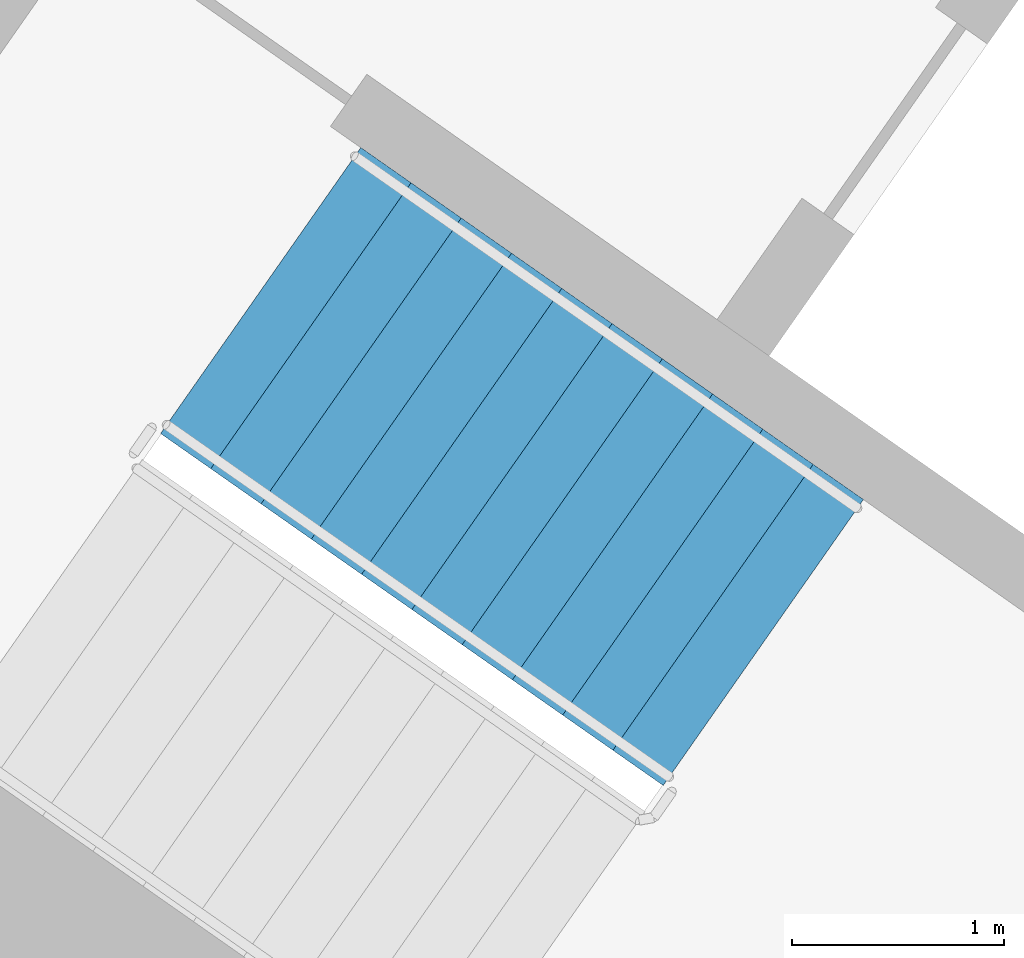
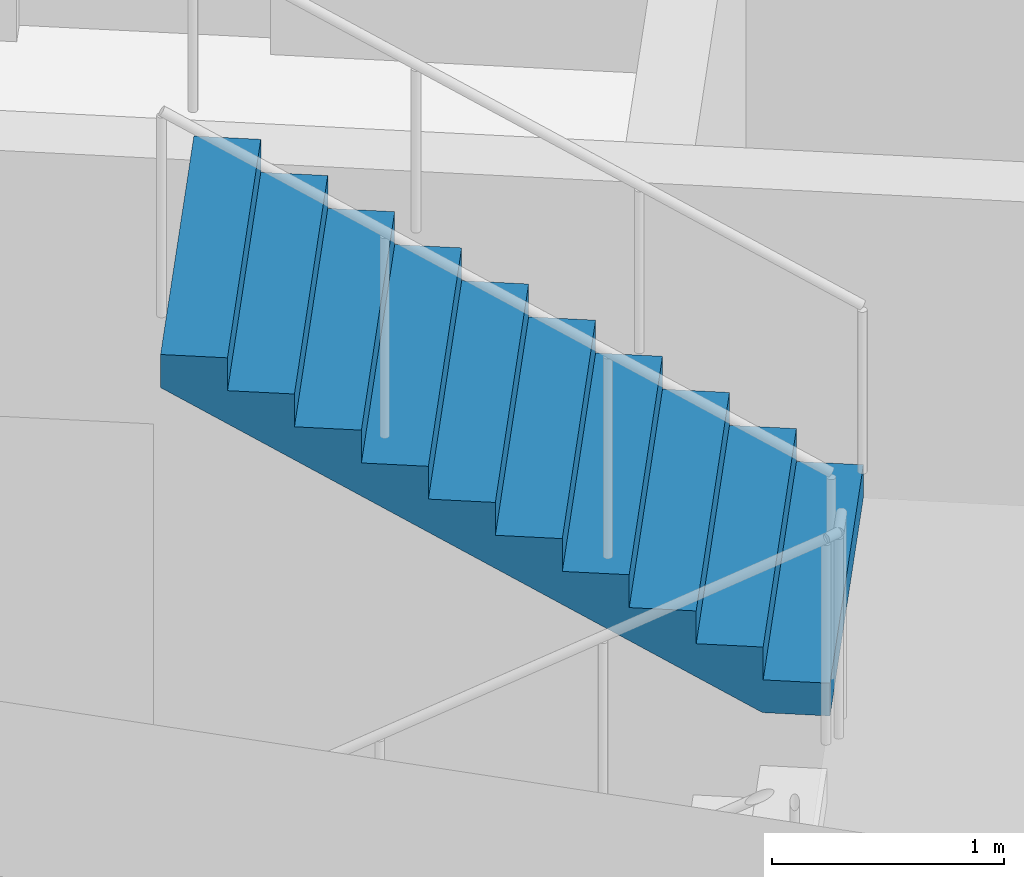
# One storey, part 11 of 29: 1 stair flight, 1 element without a shape of its own.
"""IFC4 building model written with IfcOpenShell, lengths in metres."""

from ifc_helpers import new_model, si_unit, direction, frame, origin, place, context, subcontext, project, spatial, faceted_brep, material, type_object, element, aggregate, save


model = new_model("IFC4")

# Units and contexts
model_context = context("Model", 3, precision=1e-05, world=origin(), true_north=direction((0.0, 1.0)))
body_context = subcontext(model_context, "Body", "Model", "MODEL_VIEW")
ifc_project = project(units=[si_unit("LENGTHUNIT", "METRE"), si_unit("AREAUNIT", "SQUARE_METRE"), si_unit("VOLUMEUNIT", "CUBIC_METRE"), si_unit("PLANEANGLEUNIT", "RADIAN"), si_unit("MASSUNIT", "GRAM", prefix="KILO")], contexts=[model_context])

# Site, building, storey
site_placement = place(None, origin())
site = spatial("IfcSite", under=ifc_project, at=site_placement, CompositionType="ELEMENT")
building_placement = place(site_placement, origin())
building = spatial("IfcBuilding", under=site, at=building_placement, Name="Qamariyya Broadcast Tower", CompositionType="ELEMENT")
storey_placement = place(building_placement, frame((0.0, 0.0, 113.89990234375)))
storey = spatial("IfcBuildingStorey", under=building, at=storey_placement, Name="L25", CompositionType="ELEMENT", Elevation=113.89990234375)

# Stair, stair flight
ifc_material = material(Name="Concrete C50/60", Category="concrete")
stair_type = type_object("IfcStairType", Name="Exit stair 22 risers of 173 mm", PredefinedType="HALF_TURN_STAIR", material=ifc_material)
stair_placement = place(storey_placement, origin())
stair = element("IfcStair", 1, at=stair_placement, inside=storey, type_object=stair_type, Name="L25 Stair W1", PredefinedType="HALF_TURN_STAIR")
stair_flight_type = type_object("IfcStairFlightType", Name="Exit stair flight 11 risers of 173 mm", PredefinedType="STRAIGHT", material=ifc_material)
stair_flight_placement = place(storey_placement, frame((-43.660888671875, -57.17138671875, 1.900146484375), z_axis=(0.0, 0.0, 1.0), x_axis=(-0.819152044289, 0.573576436351, 0.0)))
stair_flight = element("IfcStairFlight", 2, at=stair_flight_placement, type_object=stair_flight_type, Name="ST-W1 flight 2", NumberOfRisers=11, NumberOfTreads=10, PredefinedType="STRAIGHT", RiserHeight=0.172727273, TreadLength=0.29, context=body_context, shape_type="Brep", body=[
    faceted_brep([(0.0, 0.824951171875, 0.0), (0.0, 0.824951171875, 0.172607421875), (0.2900390625, 0.824951171875, 0.172607421875), (0.2900390625, 0.824951171875, 0.345458984375), (0.580078125, 0.824951171875, 0.345458984375), (0.580078125, 0.824951171875, 0.51806640625), (0.8701171875, 0.824951171875, 0.51806640625), (0.8701171875, 0.824951171875, 0.69091796875), (1.159912109375, 0.824951171875, 0.69091796875), (1.159912109375, 0.824951171875, 0.863525390625), (1.449951171875, 0.824951171875, 0.863525390625), (1.449951171875, 0.824951171875, 1.036376953125), (1.739990234375, 0.824951171875, 1.036376953125), (1.739990234375, 0.824951171875, 1.208984375), (2.030029296875, 0.824951171875, 1.208984375), (2.030029296875, 0.824951171875, 1.3818359375), (2.320068359375, 0.824951171875, 1.3818359375), (2.320068359375, 0.824951171875, 1.554443359375), (2.610107421875, 0.824951171875, 1.554443359375), (2.610107421875, 0.824951171875, 1.727294921875), (2.89990234375, 0.824951171875, 1.727294921875), (2.89990234375, 0.824951171875, 1.552734375), (0.29296875, 0.824951171875, 0.0), (0.29296875, -0.824951171875, 0.0), (2.89990234375, -0.824951171875, 1.552734375), (2.89990234375, -0.824951171875, 1.727294921875), (2.610107421875, -0.824951171875, 1.727294921875), (2.610107421875, -0.824951171875, 1.554443359375), (2.320068359375, -0.824951171875, 1.554443359375), (2.320068359375, -0.824951171875, 1.3818359375), (2.030029296875, -0.824951171875, 1.3818359375), (2.030029296875, -0.824951171875, 1.208984375), (1.739990234375, -0.824951171875, 1.208984375), (1.739990234375, -0.824951171875, 1.036376953125), (1.449951171875, -0.824951171875, 1.036376953125), (1.449951171875, -0.824951171875, 0.863525390625), (1.159912109375, -0.824951171875, 0.863525390625), (1.159912109375, -0.824951171875, 0.69091796875), (0.8701171875, -0.824951171875, 0.69091796875), (0.8701171875, -0.824951171875, 0.51806640625), (0.580078125, -0.824951171875, 0.51806640625), (0.580078125, -0.824951171875, 0.345458984375), (0.2900390625, -0.824951171875, 0.345458984375), (0.2900390625, -0.824951171875, 0.172607421875), (0.0, -0.824951171875, 0.172607421875), (0.0, -0.824951171875, 0.0), (0.0, 0.10009765625, 0.0), (0.0, 0.086669921875, 0.0), (0.0, 0.0732421875, 0.0), (0.0, 0.06005859375, 0.0), (0.0, 0.046630859375, 0.0), (0.0, 0.033447265625, 0.0), (0.0, 0.02001953125, 0.0), (0.0, 0.006591796875, 0.0), (0.0, -0.006591796875, 0.0), (0.0, -0.02001953125, 0.0), (0.0, -0.033447265625, 0.0), (0.0, -0.046630859375, 0.0), (0.0, -0.06005859375, 0.0), (0.0, -0.0732421875, 0.0), (0.0, -0.086669921875, 0.0), (0.0, -0.10009765625, 0.0), (0.0, -0.10009765625, 0.172607421875), (0.0, -0.086669921875, 0.172607421875), (0.0, -0.0732421875, 0.172607421875), (0.0, -0.06005859375, 0.172607421875), (0.0, -0.046630859375, 0.172607421875), (0.0, -0.033447265625, 0.172607421875), (0.0, -0.02001953125, 0.172607421875), (0.0, -0.006591796875, 0.172607421875), (0.0, 0.006591796875, 0.172607421875), (0.0, 0.02001953125, 0.172607421875), (0.0, 0.033447265625, 0.172607421875), (0.0, 0.046630859375, 0.172607421875), (0.0, 0.06005859375, 0.172607421875), (0.0, 0.0732421875, 0.172607421875), (0.0, 0.086669921875, 0.172607421875), (0.0, 0.10009765625, 0.172607421875), (0.2900390625, -0.10009765625, 0.172607421875), (0.2900390625, -0.086669921875, 0.172607421875), (0.2900390625, -0.0732421875, 0.172607421875), (0.2900390625, -0.06005859375, 0.172607421875), (0.2900390625, -0.046630859375, 0.172607421875), (0.2900390625, -0.033447265625, 0.172607421875), (0.2900390625, -0.02001953125, 0.172607421875), (0.2900390625, -0.006591796875, 0.172607421875), (0.2900390625, 0.006591796875, 0.172607421875), (0.2900390625, 0.02001953125, 0.172607421875), (0.2900390625, 0.033447265625, 0.172607421875), (0.2900390625, 0.046630859375, 0.172607421875), (0.2900390625, 0.06005859375, 0.172607421875), (0.2900390625, 0.0732421875, 0.172607421875), (0.2900390625, 0.086669921875, 0.172607421875), (0.2900390625, 0.10009765625, 0.172607421875), (0.2900390625, -0.10009765625, 0.345458984375), (0.2900390625, -0.086669921875, 0.345458984375), (0.2900390625, -0.0732421875, 0.345458984375), (0.2900390625, -0.06005859375, 0.345458984375), (0.2900390625, -0.046630859375, 0.345458984375), (0.2900390625, -0.033447265625, 0.345458984375), (0.2900390625, -0.02001953125, 0.345458984375), (0.2900390625, -0.006591796875, 0.345458984375), (0.2900390625, 0.006591796875, 0.345458984375), (0.2900390625, 0.02001953125, 0.345458984375), (0.2900390625, 0.033447265625, 0.345458984375), (0.2900390625, 0.046630859375, 0.345458984375), (0.2900390625, 0.06005859375, 0.345458984375), (0.2900390625, 0.0732421875, 0.345458984375), (0.2900390625, 0.086669921875, 0.345458984375), (0.2900390625, 0.10009765625, 0.345458984375), (0.580078125, -0.10009765625, 0.345458984375), (0.580078125, -0.086669921875, 0.345458984375), (0.580078125, -0.0732421875, 0.345458984375), (0.580078125, -0.06005859375, 0.345458984375), (0.580078125, -0.046630859375, 0.345458984375), (0.580078125, -0.033447265625, 0.345458984375), (0.580078125, -0.02001953125, 0.345458984375), (0.580078125, -0.006591796875, 0.345458984375), (0.580078125, 0.006591796875, 0.345458984375), (0.580078125, 0.02001953125, 0.345458984375), (0.580078125, 0.033447265625, 0.345458984375), (0.580078125, 0.046630859375, 0.345458984375), (0.580078125, 0.06005859375, 0.345458984375), (0.580078125, 0.0732421875, 0.345458984375), (0.580078125, 0.086669921875, 0.345458984375), (0.580078125, 0.10009765625, 0.345458984375), (0.580078125, -0.10009765625, 0.51806640625), (0.580078125, -0.086669921875, 0.51806640625), (0.580078125, -0.0732421875, 0.51806640625), (0.580078125, -0.06005859375, 0.51806640625), (0.580078125, -0.046630859375, 0.51806640625), (0.580078125, -0.033447265625, 0.51806640625), (0.580078125, -0.02001953125, 0.51806640625), (0.580078125, -0.006591796875, 0.51806640625), (0.580078125, 0.006591796875, 0.51806640625), (0.580078125, 0.02001953125, 0.51806640625), (0.580078125, 0.033447265625, 0.51806640625), (0.580078125, 0.046630859375, 0.51806640625), (0.580078125, 0.06005859375, 0.51806640625), (0.580078125, 0.0732421875, 0.51806640625), (0.580078125, 0.086669921875, 0.51806640625), (0.580078125, 0.10009765625, 0.51806640625), (0.8701171875, -0.10009765625, 0.51806640625), (0.8701171875, -0.086669921875, 0.51806640625), (0.8701171875, -0.0732421875, 0.51806640625), (0.8701171875, -0.06005859375, 0.51806640625), (0.8701171875, -0.046630859375, 0.51806640625), (0.8701171875, -0.033447265625, 0.51806640625), (0.8701171875, -0.02001953125, 0.51806640625), (0.8701171875, -0.006591796875, 0.51806640625), (0.8701171875, 0.006591796875, 0.51806640625), (0.8701171875, 0.02001953125, 0.51806640625), (0.8701171875, 0.033447265625, 0.51806640625), (0.8701171875, 0.046630859375, 0.51806640625), (0.8701171875, 0.06005859375, 0.51806640625), (0.8701171875, 0.0732421875, 0.51806640625), (0.8701171875, 0.086669921875, 0.51806640625), (0.8701171875, 0.10009765625, 0.51806640625), (0.8701171875, -0.10009765625, 0.69091796875), (0.8701171875, -0.086669921875, 0.69091796875), (0.8701171875, -0.0732421875, 0.69091796875), (0.8701171875, -0.06005859375, 0.69091796875), (0.8701171875, -0.046630859375, 0.69091796875), (0.8701171875, -0.033447265625, 0.69091796875), (0.8701171875, -0.02001953125, 0.69091796875), (0.8701171875, -0.006591796875, 0.69091796875), (0.8701171875, 0.006591796875, 0.69091796875), (0.8701171875, 0.02001953125, 0.69091796875), (0.8701171875, 0.033447265625, 0.69091796875), (0.8701171875, 0.046630859375, 0.69091796875), (0.8701171875, 0.06005859375, 0.69091796875), (0.8701171875, 0.0732421875, 0.69091796875), (0.8701171875, 0.086669921875, 0.69091796875), (0.8701171875, 0.10009765625, 0.69091796875), (1.159912109375, -0.10009765625, 0.69091796875), (1.159912109375, -0.086669921875, 0.69091796875), (1.159912109375, -0.0732421875, 0.69091796875), (1.159912109375, -0.06005859375, 0.69091796875), (1.159912109375, -0.046630859375, 0.69091796875), (1.159912109375, -0.033447265625, 0.69091796875), (1.159912109375, -0.02001953125, 0.69091796875), (1.159912109375, -0.006591796875, 0.69091796875), (1.159912109375, 0.006591796875, 0.69091796875), (1.159912109375, 0.02001953125, 0.69091796875), (1.159912109375, 0.033447265625, 0.69091796875), (1.159912109375, 0.046630859375, 0.69091796875), (1.159912109375, 0.06005859375, 0.69091796875), (1.159912109375, 0.0732421875, 0.69091796875), (1.159912109375, 0.086669921875, 0.69091796875), (1.159912109375, 0.10009765625, 0.69091796875), (1.159912109375, -0.10009765625, 0.863525390625), (1.159912109375, -0.086669921875, 0.863525390625), (1.159912109375, -0.0732421875, 0.863525390625), (1.159912109375, -0.06005859375, 0.863525390625), (1.159912109375, -0.046630859375, 0.863525390625), (1.159912109375, -0.033447265625, 0.863525390625), (1.159912109375, -0.02001953125, 0.863525390625), (1.159912109375, -0.006591796875, 0.863525390625), (1.159912109375, 0.006591796875, 0.863525390625), (1.159912109375, 0.02001953125, 0.863525390625), (1.159912109375, 0.033447265625, 0.863525390625), (1.159912109375, 0.046630859375, 0.863525390625), (1.159912109375, 0.06005859375, 0.863525390625), (1.159912109375, 0.0732421875, 0.863525390625), (1.159912109375, 0.086669921875, 0.863525390625), (1.159912109375, 0.10009765625, 0.863525390625), (1.449951171875, -0.10009765625, 0.863525390625), (1.449951171875, -0.086669921875, 0.863525390625), (1.449951171875, -0.0732421875, 0.863525390625), (1.449951171875, -0.06005859375, 0.863525390625), (1.449951171875, -0.046630859375, 0.863525390625), (1.449951171875, -0.033447265625, 0.863525390625), (1.449951171875, -0.02001953125, 0.863525390625), (1.449951171875, -0.006591796875, 0.863525390625), (1.449951171875, 0.006591796875, 0.863525390625), (1.449951171875, 0.02001953125, 0.863525390625), (1.449951171875, 0.033447265625, 0.863525390625), (1.449951171875, 0.046630859375, 0.863525390625), (1.449951171875, 0.06005859375, 0.863525390625), (1.449951171875, 0.0732421875, 0.863525390625), (1.449951171875, 0.086669921875, 0.863525390625), (1.449951171875, 0.10009765625, 0.863525390625), (1.449951171875, -0.10009765625, 1.036376953125), (1.449951171875, -0.086669921875, 1.036376953125), (1.449951171875, -0.0732421875, 1.036376953125), (1.449951171875, -0.06005859375, 1.036376953125), (1.449951171875, -0.046630859375, 1.036376953125), (1.449951171875, -0.033447265625, 1.036376953125), (1.449951171875, -0.02001953125, 1.036376953125), (1.449951171875, -0.006591796875, 1.036376953125), (1.449951171875, 0.006591796875, 1.036376953125), (1.449951171875, 0.02001953125, 1.036376953125), (1.449951171875, 0.033447265625, 1.036376953125), (1.449951171875, 0.046630859375, 1.036376953125), (1.449951171875, 0.06005859375, 1.036376953125), (1.449951171875, 0.0732421875, 1.036376953125), (1.449951171875, 0.086669921875, 1.036376953125), (1.449951171875, 0.10009765625, 1.036376953125), (1.739990234375, -0.10009765625, 1.036376953125), (1.739990234375, -0.086669921875, 1.036376953125), (1.739990234375, -0.0732421875, 1.036376953125), (1.739990234375, -0.06005859375, 1.036376953125), (1.739990234375, -0.046630859375, 1.036376953125), (1.739990234375, -0.033447265625, 1.036376953125), (1.739990234375, -0.02001953125, 1.036376953125), (1.739990234375, -0.006591796875, 1.036376953125), (1.739990234375, 0.006591796875, 1.036376953125), (1.739990234375, 0.02001953125, 1.036376953125), (1.739990234375, 0.033447265625, 1.036376953125), (1.739990234375, 0.046630859375, 1.036376953125), (1.739990234375, 0.06005859375, 1.036376953125), (1.739990234375, 0.0732421875, 1.036376953125), (1.739990234375, 0.086669921875, 1.036376953125), (1.739990234375, 0.10009765625, 1.036376953125), (1.739990234375, -0.10009765625, 1.208984375), (1.739990234375, -0.086669921875, 1.208984375), (1.739990234375, -0.0732421875, 1.208984375), (1.739990234375, -0.06005859375, 1.208984375), (1.739990234375, -0.046630859375, 1.208984375), (1.739990234375, -0.033447265625, 1.208984375), (1.739990234375, -0.02001953125, 1.208984375), (1.739990234375, -0.006591796875, 1.208984375), (1.739990234375, 0.006591796875, 1.208984375), (1.739990234375, 0.02001953125, 1.208984375), (1.739990234375, 0.033447265625, 1.208984375), (1.739990234375, 0.046630859375, 1.208984375), (1.739990234375, 0.06005859375, 1.208984375), (1.739990234375, 0.0732421875, 1.208984375), (1.739990234375, 0.086669921875, 1.208984375), (1.739990234375, 0.10009765625, 1.208984375), (2.030029296875, -0.10009765625, 1.208984375), (2.030029296875, -0.086669921875, 1.208984375), (2.030029296875, -0.0732421875, 1.208984375), (2.030029296875, -0.06005859375, 1.208984375), (2.030029296875, -0.046630859375, 1.208984375), (2.030029296875, -0.033447265625, 1.208984375), (2.030029296875, -0.02001953125, 1.208984375), (2.030029296875, -0.006591796875, 1.208984375), (2.030029296875, 0.006591796875, 1.208984375), (2.030029296875, 0.02001953125, 1.208984375), (2.030029296875, 0.033447265625, 1.208984375), (2.030029296875, 0.046630859375, 1.208984375), (2.030029296875, 0.06005859375, 1.208984375), (2.030029296875, 0.0732421875, 1.208984375), (2.030029296875, 0.086669921875, 1.208984375), (2.030029296875, 0.10009765625, 1.208984375), (2.030029296875, -0.10009765625, 1.3818359375), (2.030029296875, -0.086669921875, 1.3818359375), (2.030029296875, -0.0732421875, 1.3818359375), (2.030029296875, -0.06005859375, 1.3818359375), (2.030029296875, -0.046630859375, 1.3818359375), (2.030029296875, -0.033447265625, 1.3818359375), (2.030029296875, -0.02001953125, 1.3818359375), (2.030029296875, -0.006591796875, 1.3818359375), (2.030029296875, 0.006591796875, 1.3818359375), (2.030029296875, 0.02001953125, 1.3818359375), (2.030029296875, 0.033447265625, 1.3818359375), (2.030029296875, 0.046630859375, 1.3818359375), (2.030029296875, 0.06005859375, 1.3818359375), (2.030029296875, 0.0732421875, 1.3818359375), (2.030029296875, 0.086669921875, 1.3818359375), (2.030029296875, 0.10009765625, 1.3818359375), (2.320068359375, -0.10009765625, 1.3818359375), (2.320068359375, -0.086669921875, 1.3818359375), (2.320068359375, -0.0732421875, 1.3818359375), (2.320068359375, -0.06005859375, 1.3818359375), (2.320068359375, -0.046630859375, 1.3818359375), (2.320068359375, -0.033447265625, 1.3818359375), (2.320068359375, -0.02001953125, 1.3818359375), (2.320068359375, -0.006591796875, 1.3818359375), (2.320068359375, 0.006591796875, 1.3818359375), (2.320068359375, 0.02001953125, 1.3818359375), (2.320068359375, 0.033447265625, 1.3818359375), (2.320068359375, 0.046630859375, 1.3818359375), (2.320068359375, 0.06005859375, 1.3818359375), (2.320068359375, 0.0732421875, 1.3818359375), (2.320068359375, 0.086669921875, 1.3818359375), (2.320068359375, 0.10009765625, 1.3818359375), (2.320068359375, -0.10009765625, 1.554443359375), (2.320068359375, -0.086669921875, 1.554443359375), (2.320068359375, -0.0732421875, 1.554443359375), (2.320068359375, -0.06005859375, 1.554443359375), (2.320068359375, -0.046630859375, 1.554443359375), (2.320068359375, -0.033447265625, 1.554443359375), (2.320068359375, -0.02001953125, 1.554443359375), (2.320068359375, -0.006591796875, 1.554443359375), (2.320068359375, 0.006591796875, 1.554443359375), (2.320068359375, 0.02001953125, 1.554443359375), (2.320068359375, 0.033447265625, 1.554443359375), (2.320068359375, 0.046630859375, 1.554443359375), (2.320068359375, 0.06005859375, 1.554443359375), (2.320068359375, 0.0732421875, 1.554443359375), (2.320068359375, 0.086669921875, 1.554443359375), (2.320068359375, 0.10009765625, 1.554443359375), (2.610107421875, -0.10009765625, 1.554443359375), (2.610107421875, -0.086669921875, 1.554443359375), (2.610107421875, -0.0732421875, 1.554443359375), (2.610107421875, -0.06005859375, 1.554443359375), (2.610107421875, -0.046630859375, 1.554443359375), (2.610107421875, -0.033447265625, 1.554443359375), (2.610107421875, -0.02001953125, 1.554443359375), (2.610107421875, -0.006591796875, 1.554443359375), (2.610107421875, 0.006591796875, 1.554443359375), (2.610107421875, 0.02001953125, 1.554443359375), (2.610107421875, 0.033447265625, 1.554443359375), (2.610107421875, 0.046630859375, 1.554443359375), (2.610107421875, 0.06005859375, 1.554443359375), (2.610107421875, 0.0732421875, 1.554443359375), (2.610107421875, 0.086669921875, 1.554443359375), (2.610107421875, 0.10009765625, 1.554443359375), (2.610107421875, -0.10009765625, 1.727294921875), (2.610107421875, -0.086669921875, 1.727294921875), (2.610107421875, -0.0732421875, 1.727294921875), (2.610107421875, -0.06005859375, 1.727294921875), (2.610107421875, -0.046630859375, 1.727294921875), (2.610107421875, -0.033447265625, 1.727294921875), (2.610107421875, -0.02001953125, 1.727294921875), (2.610107421875, -0.006591796875, 1.727294921875), (2.610107421875, 0.006591796875, 1.727294921875), (2.610107421875, 0.02001953125, 1.727294921875), (2.610107421875, 0.033447265625, 1.727294921875), (2.610107421875, 0.046630859375, 1.727294921875), (2.610107421875, 0.06005859375, 1.727294921875), (2.610107421875, 0.0732421875, 1.727294921875), (2.610107421875, 0.086669921875, 1.727294921875), (2.610107421875, 0.10009765625, 1.727294921875), (2.89990234375, -0.10009765625, 1.727294921875), (2.89990234375, -0.086669921875, 1.727294921875), (2.89990234375, -0.0732421875, 1.727294921875), (2.89990234375, -0.06005859375, 1.727294921875), (2.89990234375, -0.046630859375, 1.727294921875), (2.89990234375, -0.033447265625, 1.727294921875), (2.89990234375, -0.02001953125, 1.727294921875), (2.89990234375, -0.006591796875, 1.727294921875), (2.89990234375, 0.006591796875, 1.727294921875), (2.89990234375, 0.02001953125, 1.727294921875), (2.89990234375, 0.033447265625, 1.727294921875), (2.89990234375, 0.046630859375, 1.727294921875), (2.89990234375, 0.06005859375, 1.727294921875), (2.89990234375, 0.0732421875, 1.727294921875), (2.89990234375, 0.086669921875, 1.727294921875), (2.89990234375, 0.10009765625, 1.727294921875), (2.89990234375, -0.10009765625, 1.552734375), (2.89990234375, -0.086669921875, 1.552734375), (2.89990234375, -0.0732421875, 1.552734375), (2.89990234375, -0.06005859375, 1.552734375), (2.89990234375, -0.046630859375, 1.552734375), (2.89990234375, -0.033447265625, 1.552734375), (2.89990234375, -0.02001953125, 1.552734375), (2.89990234375, -0.006591796875, 1.552734375), (2.89990234375, 0.006591796875, 1.552734375), (2.89990234375, 0.02001953125, 1.552734375), (2.89990234375, 0.033447265625, 1.552734375), (2.89990234375, 0.046630859375, 1.552734375), (2.89990234375, 0.06005859375, 1.552734375), (2.89990234375, 0.0732421875, 1.552734375), (2.89990234375, 0.086669921875, 1.552734375), (2.89990234375, 0.10009765625, 1.552734375), (0.29296875, -0.10009765625, 0.0), (0.29296875, -0.086669921875, 0.0), (0.29296875, -0.0732421875, 0.0), (0.29296875, -0.06005859375, 0.0), (0.29296875, -0.046630859375, 0.0), (0.29296875, -0.033447265625, 0.0), (0.29296875, -0.02001953125, 0.0), (0.29296875, -0.006591796875, 0.0), (0.29296875, 0.006591796875, 0.0), (0.29296875, 0.02001953125, 0.0), (0.29296875, 0.033447265625, 0.0), (0.29296875, 0.046630859375, 0.0), (0.29296875, 0.06005859375, 0.0), (0.29296875, 0.0732421875, 0.0), (0.29296875, 0.086669921875, 0.0), (0.29296875, 0.10009765625, 0.0)], [[[0, 1, 2, 3, 4, 5, 6, 7, 8, 9, 10, 11, 12, 13, 14, 15, 16, 17, 18, 19, 20, 21, 22]], [[23, 24, 25, 26, 27, 28, 29, 30, 31, 32, 33, 34, 35, 36, 37, 38, 39, 40, 41, 42, 43, 44, 45]], [[0, 46, 47, 48, 49, 50, 51, 52, 53, 54, 55, 56, 57, 58, 59, 60, 61, 45, 44, 62, 63, 64, 65, 66, 67, 68, 69, 70, 71, 72, 73, 74, 75, 76, 77, 1]], [[1, 77, 76, 75, 74, 73, 72, 71, 70, 69, 68, 67, 66, 65, 64, 63, 62, 44, 43, 78, 79, 80, 81, 82, 83, 84, 85, 86, 87, 88, 89, 90, 91, 92, 93, 2]], [[2, 93, 92, 91, 90, 89, 88, 87, 86, 85, 84, 83, 82, 81, 80, 79, 78, 43, 42, 94, 95, 96, 97, 98, 99, 100, 101, 102, 103, 104, 105, 106, 107, 108, 109, 3]], [[3, 109, 108, 107, 106, 105, 104, 103, 102, 101, 100, 99, 98, 97, 96, 95, 94, 42, 41, 110, 111, 112, 113, 114, 115, 116, 117, 118, 119, 120, 121, 122, 123, 124, 125, 4]], [[4, 125, 124, 123, 122, 121, 120, 119, 118, 117, 116, 115, 114, 113, 112, 111, 110, 41, 40, 126, 127, 128, 129, 130, 131, 132, 133, 134, 135, 136, 137, 138, 139, 140, 141, 5]], [[5, 141, 140, 139, 138, 137, 136, 135, 134, 133, 132, 131, 130, 129, 128, 127, 126, 40, 39, 142, 143, 144, 145, 146, 147, 148, 149, 150, 151, 152, 153, 154, 155, 156, 157, 6]], [[6, 157, 156, 155, 154, 153, 152, 151, 150, 149, 148, 147, 146, 145, 144, 143, 142, 39, 38, 158, 159, 160, 161, 162, 163, 164, 165, 166, 167, 168, 169, 170, 171, 172, 173, 7]], [[7, 173, 172, 171, 170, 169, 168, 167, 166, 165, 164, 163, 162, 161, 160, 159, 158, 38, 37, 174, 175, 176, 177, 178, 179, 180, 181, 182, 183, 184, 185, 186, 187, 188, 189, 8]], [[8, 189, 188, 187, 186, 185, 184, 183, 182, 181, 180, 179, 178, 177, 176, 175, 174, 37, 36, 190, 191, 192, 193, 194, 195, 196, 197, 198, 199, 200, 201, 202, 203, 204, 205, 9]], [[9, 205, 204, 203, 202, 201, 200, 199, 198, 197, 196, 195, 194, 193, 192, 191, 190, 36, 35, 206, 207, 208, 209, 210, 211, 212, 213, 214, 215, 216, 217, 218, 219, 220, 221, 10]], [[10, 221, 220, 219, 218, 217, 216, 215, 214, 213, 212, 211, 210, 209, 208, 207, 206, 35, 34, 222, 223, 224, 225, 226, 227, 228, 229, 230, 231, 232, 233, 234, 235, 236, 237, 11]], [[11, 237, 236, 235, 234, 233, 232, 231, 230, 229, 228, 227, 226, 225, 224, 223, 222, 34, 33, 238, 239, 240, 241, 242, 243, 244, 245, 246, 247, 248, 249, 250, 251, 252, 253, 12]], [[12, 253, 252, 251, 250, 249, 248, 247, 246, 245, 244, 243, 242, 241, 240, 239, 238, 33, 32, 254, 255, 256, 257, 258, 259, 260, 261, 262, 263, 264, 265, 266, 267, 268, 269, 13]], [[13, 269, 268, 267, 266, 265, 264, 263, 262, 261, 260, 259, 258, 257, 256, 255, 254, 32, 31, 270, 271, 272, 273, 274, 275, 276, 277, 278, 279, 280, 281, 282, 283, 284, 285, 14]], [[14, 285, 284, 283, 282, 281, 280, 279, 278, 277, 276, 275, 274, 273, 272, 271, 270, 31, 30, 286, 287, 288, 289, 290, 291, 292, 293, 294, 295, 296, 297, 298, 299, 300, 301, 15]], [[15, 301, 300, 299, 298, 297, 296, 295, 294, 293, 292, 291, 290, 289, 288, 287, 286, 30, 29, 302, 303, 304, 305, 306, 307, 308, 309, 310, 311, 312, 313, 314, 315, 316, 317, 16]], [[16, 317, 316, 315, 314, 313, 312, 311, 310, 309, 308, 307, 306, 305, 304, 303, 302, 29, 28, 318, 319, 320, 321, 322, 323, 324, 325, 326, 327, 328, 329, 330, 331, 332, 333, 17]], [[17, 333, 332, 331, 330, 329, 328, 327, 326, 325, 324, 323, 322, 321, 320, 319, 318, 28, 27, 334, 335, 336, 337, 338, 339, 340, 341, 342, 343, 344, 345, 346, 347, 348, 349, 18]], [[18, 349, 348, 347, 346, 345, 344, 343, 342, 341, 340, 339, 338, 337, 336, 335, 334, 27, 26, 350, 351, 352, 353, 354, 355, 356, 357, 358, 359, 360, 361, 362, 363, 364, 365, 19]], [[19, 365, 364, 363, 362, 361, 360, 359, 358, 357, 356, 355, 354, 353, 352, 351, 350, 26, 25, 366, 367, 368, 369, 370, 371, 372, 373, 374, 375, 376, 377, 378, 379, 380, 381, 20]], [[20, 381, 380, 379, 378, 377, 376, 375, 374, 373, 372, 371, 370, 369, 368, 367, 366, 25, 24, 382, 383, 384, 385, 386, 387, 388, 389, 390, 391, 392, 393, 394, 395, 396, 397, 21]], [[21, 397, 396, 395, 394, 393, 392, 391, 390, 389, 388, 387, 386, 385, 384, 383, 382, 24, 23, 398, 399, 400, 401, 402, 403, 404, 405, 406, 407, 408, 409, 410, 411, 412, 413, 22]], [[22, 413, 412, 411, 410, 409, 408, 407, 406, 405, 404, 403, 402, 401, 400, 399, 398, 23, 45, 61, 60, 59, 58, 57, 56, 55, 54, 53, 52, 51, 50, 49, 48, 47, 46, 0]]]),
])
aggregate(stair, [stair_flight])

save(model, "model.ifc")
